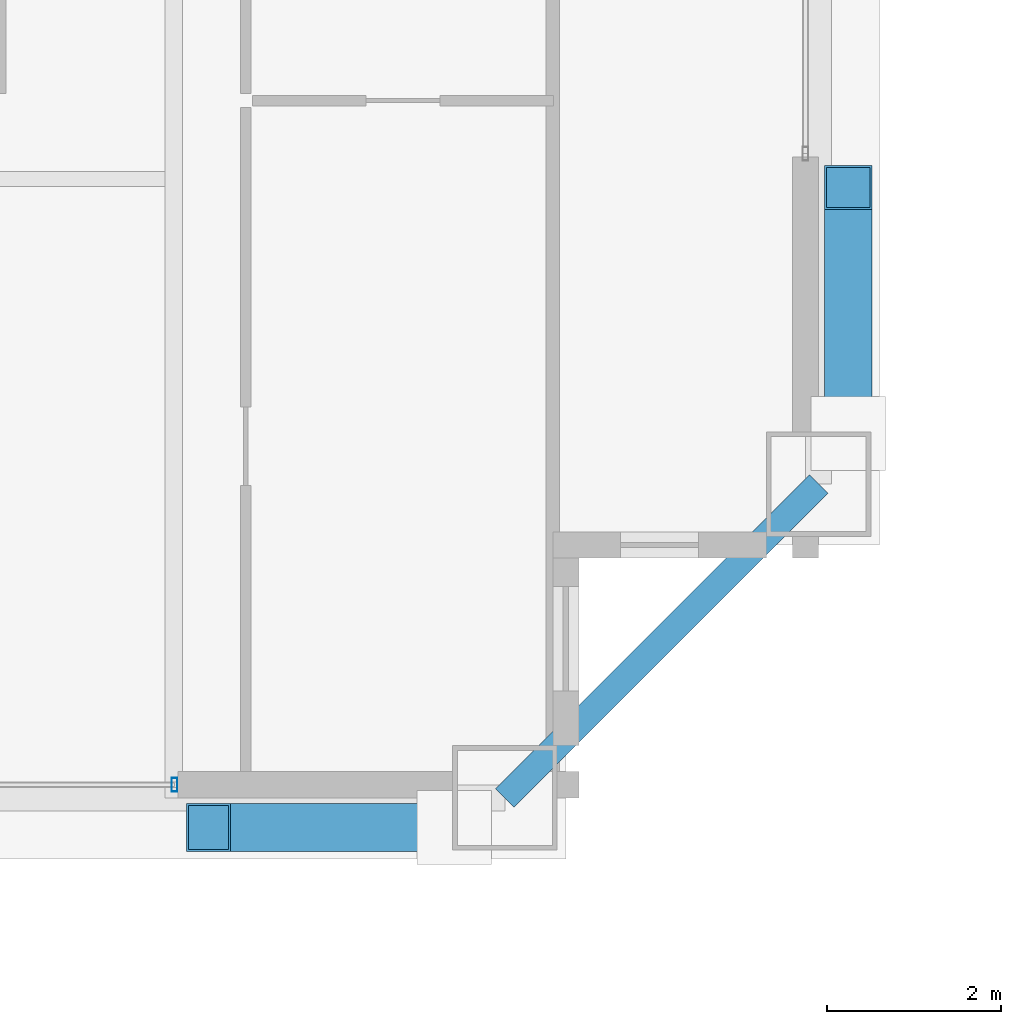
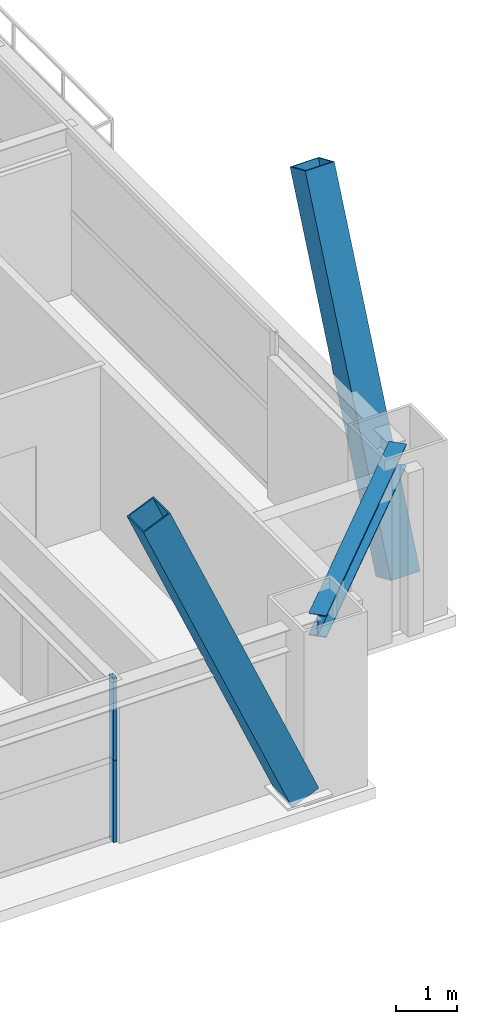
# One storey, part 13 of 35: 4 members, 1 beam, 1 element without a shape of its own.
"""IFC4 building model written with IfcOpenShell, lengths in metres."""

from ifc_helpers import new_model, si_unit, direction, frame, origin, origin_2d, place, context, subcontext, project, spatial, hollow_rectangle, i_section, extrude, source, transform, mapped, material, layer, layer_set, material_profile, profile_set, type_object, element, aggregate, save


model = new_model("IFC4")

# Units and contexts
model_context = context("Model", 3, precision=1e-05, world=origin(), true_north=direction((0.0, 1.0)))
body_context = subcontext(model_context, "Body", "Model", "MODEL_VIEW")
ifc_project = project(units=[si_unit("LENGTHUNIT", "METRE"), si_unit("AREAUNIT", "SQUARE_METRE"), si_unit("VOLUMEUNIT", "CUBIC_METRE"), si_unit("PLANEANGLEUNIT", "RADIAN"), si_unit("MASSUNIT", "GRAM", prefix="KILO"), si_unit("THERMODYNAMICTEMPERATUREUNIT", "KELVIN"), si_unit("POWERUNIT", "WATT")], contexts=[model_context])

# Site, building, storey
site_placement = place(None, origin())
site = spatial("IfcSite", under=ifc_project, at=site_placement, CompositionType="ELEMENT")
building_placement = place(site_placement, origin())
building = spatial("IfcBuilding", under=site, at=building_placement, Name="Yuzanri Waterfront Tower", CompositionType="ELEMENT")
storey_placement = place(building_placement, frame((0.0, 0.0, 248.60009765625)))
storey = spatial("IfcBuildingStorey", under=building, at=storey_placement, Name="L66", CompositionType="ELEMENT", Elevation=248.60009765625)

# Beam
ifc_material_1 = material(Name="Steel Q355B", Category="steel")
ifc_material_profile_1 = material_profile(ifc_material_1, i_section(OverallWidth=0.300048828125, OverallDepth=0.43994140625, WebThickness=0.010986328125, FlangeThickness=0.01806640625, at=origin_2d()), Name="HM 440x300x11x18")
ifc_profile_set_1 = profile_set([ifc_material_profile_1], Name="Steel Q355B")
beam_type = type_object("IfcBeamType", Name="Perimeter Spandrel Q355B HM 440x300", PredefinedType="SPANDREL", material=ifc_profile_set_1)
shared_shape_1 = source(origin(), body_context, "Body", "SweptSolid", [
    extrude(i_section(OverallWidth=0.300048828125, OverallDepth=0.43994140625, WebThickness=0.010986328125, FlangeThickness=0.01806640625, at=origin_2d()), origin(), (0.0, 0.0, 1.0), 5.09130859375),
])
beam_placement = place(storey_placement, frame((54.0, 5.199951171875, 3.059814453125), z_axis=(0.707106781187, 0.707106781187, 0.0), x_axis=(-0.707106781187, 0.707106781187, 0.0)))
element("IfcBeam", 1, at=beam_placement, inside=storey, type_object=beam_type, Name="L66 Perimeter Spandrel S3-E1", PredefinedType="SPANDREL", context=body_context, shape_type="MappedRepresentation", body=[
    mapped(shared_shape_1, transform((0.0, 0.0, 0.0), scale=1.0)),
])

# Members
ifc_material_2 = material(Name="Steel Q390GJC", Category="steel")
ifc_material_profile_2 = material_profile(ifc_material_2, hollow_rectangle(XDim=0.550048828125, YDim=0.550048828125, WallThickness=0.02490234375, at=origin_2d()), Name="RHS 550x550x25")
ifc_profile_set_2 = profile_set([ifc_material_profile_2], Name="Steel Q390GJC")
member_type_1 = type_object("IfcMemberType", Name="Mega Brace Mid Q390GJC RHS 550x550x25", PredefinedType="BRACE", material=ifc_profile_set_2)
shared_shape_2 = source(origin(), body_context, "Body", "SweptSolid", [
    extrude(hollow_rectangle(XDim=0.550048828125, YDim=0.550048828125, WallThickness=0.02490234375, at=origin_2d()), origin(), (0.0, 0.0, 1.0), 7.085205078125),
])
member_1_placement = place(storey_placement, frame((53.419921875, 4.860107421875, 0.179931640625), z_axis=(-0.397982599681, 0.0, 0.917392963975), x_axis=(0.0, -1.0, 0.0)))
element("IfcMember", 2, at=member_1_placement, inside=storey, type_object=member_type_1, Name="L66-L67 Perimeter Mega-Brace S-R", PredefinedType="BRACE", context=body_context, shape_type="MappedRepresentation", body=[
    mapped(shared_shape_2, transform((0.0, 0.0, 0.0), scale=1.0)),
])
shared_shape_3 = source(origin(), body_context, "Body", "SweptSolid", [
    extrude(hollow_rectangle(XDim=0.550048828125, YDim=0.550048828125, WallThickness=0.02490234375, at=origin_2d()), origin(), (0.0, 0.0, 1.0), 7.08544921875),
])
member_2_placement = place(storey_placement, frame((57.93994140625, 9.3798828125, 0.179931640625), z_axis=(0.0, 0.398011598745, 0.917380383082), x_axis=(-1.0, 0.0, 0.0)))
element("IfcMember", 3, at=member_2_placement, inside=storey, type_object=member_type_1, Name="L66-L67 Perimeter Mega-Brace E-L", PredefinedType="BRACE", context=body_context, shape_type="MappedRepresentation", body=[
    mapped(shared_shape_3, transform((0.0, 0.0, 0.0), scale=1.0)),
])

# Curtain wall, members
ifc_material_3 = material(Name="Anodized Architectural Bronze", Category="metal")
ifc_layer = layer(ifc_material_3, 0.159912109375)
ifc_layer_set = layer_set([ifc_layer], Name="Anodized Architectural Bronze")
curtain_wall_type = type_object("IfcCurtainWallType", Name="Anodized Bronze Mid-Rise Residential Acoustic Unitized Curtain Wall 7200", PredefinedType="NOTDEFINED", material=ifc_layer_set)
curtain_wall_placement = place(storey_placement, origin())
curtain_wall = element("IfcCurtainWall", 4, at=curtain_wall_placement, inside=storey, type_object=curtain_wall_type, Name="L66 Curtain Wall CW-L66-SR", PredefinedType="NOTDEFINED")
ifc_material_4 = material(Name="Anodized Architectural Bronze", Category="metal")
ifc_material_profile_3 = material_profile(ifc_material_4, hollow_rectangle(XDim=0.06494140625, YDim=0.159912109375, WallThickness=0.00341796875, at=origin_2d()), Name="CWM 65x160")
ifc_profile_set_3 = profile_set([ifc_material_profile_3], Name="Anodized Architectural Bronze")
member_type_2 = type_object("IfcMemberType", Name="Anodized Bronze Upper-Zone Curtain-Wall Mullion 65x160", PredefinedType="MULLION", material=ifc_profile_set_3)
shared_shape_4 = source(origin(), body_context, "Body", "SweptSolid", [
    extrude(hollow_rectangle(XDim=0.06494140625, YDim=0.159912109375, WallThickness=0.00341796875, at=origin_2d()), origin(), (0.0, 0.0, 1.0), 1.637939453125),
])
member_3_placement = place(storey_placement, frame((50.2099609375, 5.35009765625, 0.0), z_axis=(0.0, 0.0, 1.0), x_axis=(1.0, 0.0, 0.0)))
member_3 = element("IfcMember", 5, at=member_3_placement, type_object=member_type_2, Name="CW-L66-SR Lower Mullion 02", PredefinedType="MULLION", context=body_context, shape_type="MappedRepresentation", body=[
    mapped(shared_shape_4, transform((0.0, 0.0, 0.0), scale=1.0)),
])
member_4_placement = place(storey_placement, frame((50.2099609375, 5.35009765625, 1.641845703125), z_axis=(0.0, 0.0, 1.0), x_axis=(1.0, 0.0, 0.0)))
member_4 = element("IfcMember", 6, at=member_4_placement, type_object=member_type_2, Name="CW-L66-SR Upper Mullion 02", PredefinedType="MULLION", context=body_context, shape_type="MappedRepresentation", body=[
    mapped(shared_shape_4, transform((0.0, 0.0, 0.0), scale=1.0)),
])
aggregate(curtain_wall, [member_3, member_4])

save(model, "model.ifc")
